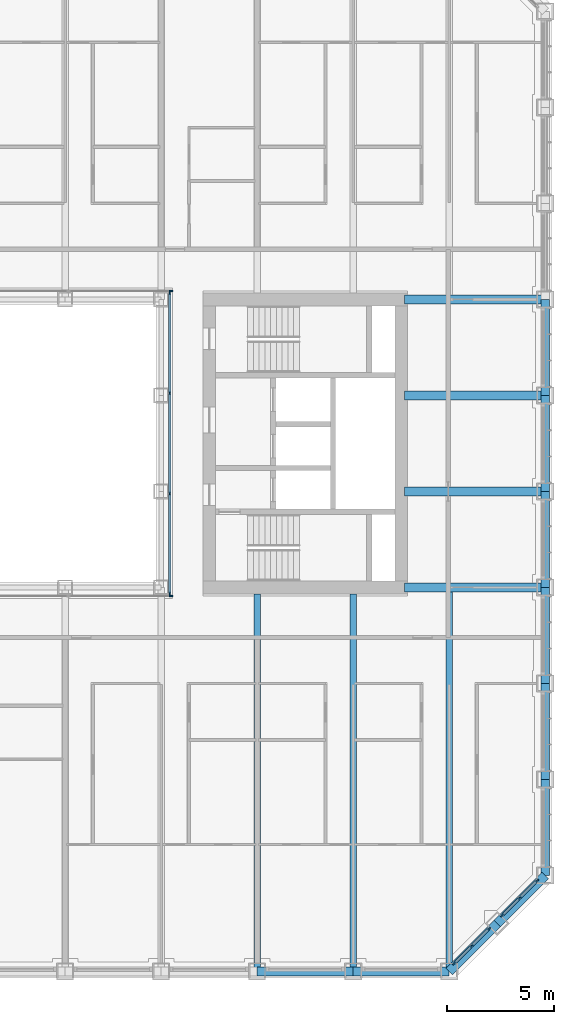
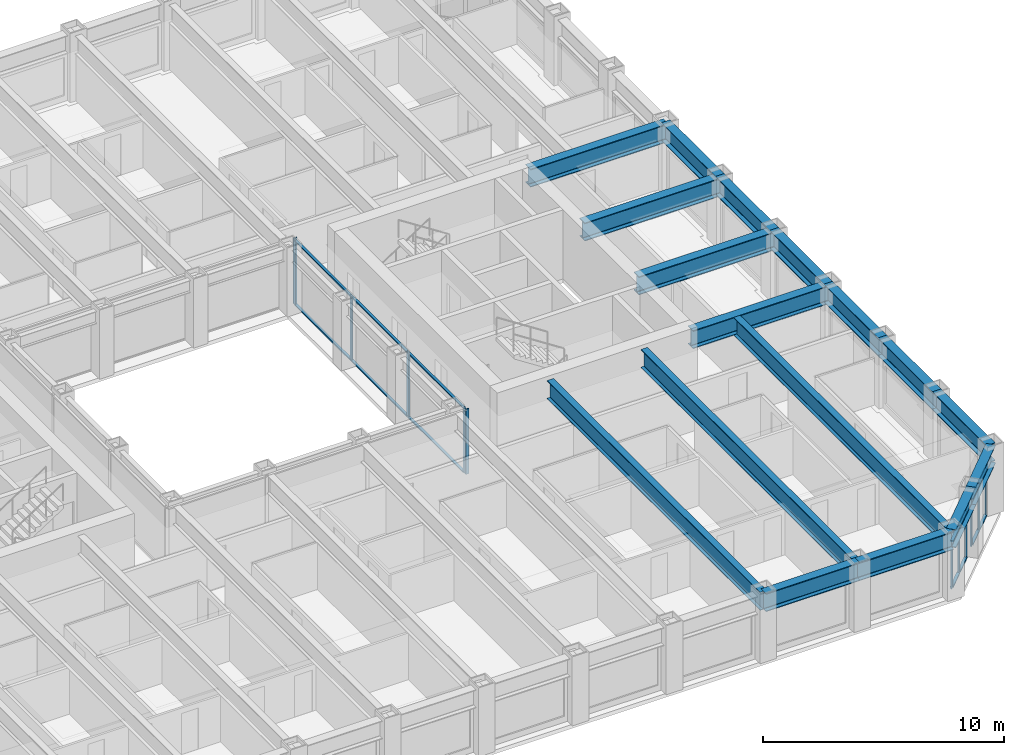
# One storey, part 5 of 20: 26 members, 17 beams, 5 elements without a shape of their own.
"""IFC4 building model written with IfcOpenShell, lengths in metres."""

from ifc_helpers import new_model, si_unit, direction, frame, origin, origin_2d, place, context, subcontext, project, spatial, rectangle, i_section, extrude, material, material_profile, profile_set, type_object, element, aggregate, save


model = new_model("IFC4")

# Units and contexts
model_context = context("Model", 3, precision=1e-05, world=origin(), true_north=direction((0.0, 1.0)))
body_context = subcontext(model_context, "Body", "Model", "MODEL_VIEW")
ifc_project = project(units=[si_unit("LENGTHUNIT", "METRE"), si_unit("AREAUNIT", "SQUARE_METRE"), si_unit("VOLUMEUNIT", "CUBIC_METRE"), si_unit("PLANEANGLEUNIT", "RADIAN"), si_unit("MASSUNIT", "GRAM", prefix="KILO")], contexts=[model_context])

# Site, building, storey
site_placement = place(None, origin())
site = spatial("IfcSite", under=ifc_project, at=site_placement, CompositionType="ELEMENT")
building_placement = place(site_placement, origin())
building = spatial("IfcBuilding", under=site, at=building_placement, Name="Msasa Ring Tower", CompositionType="ELEMENT")
storey_placement = place(building_placement, frame((0.0, 0.0, 61.5)))
storey = spatial("IfcBuildingStorey", under=building, at=storey_placement, Name="L15", CompositionType="ELEMENT", Elevation=61.5)

# Curtain wall, members
ifc_material_1 = material(Name="Aluminium curtain wall with clear glass", Category="aluminium")
curtain_wall_type_1 = type_object("IfcCurtainWallType", Name="CW-C CHAMFER CORNER CURTAIN WALL", PredefinedType="NOTDEFINED", material=ifc_material_1)
curtain_wall_1_placement = place(storey_placement, origin())
curtain_wall_1 = element("IfcCurtainWall", 1, at=curtain_wall_1_placement, inside=storey, type_object=curtain_wall_type_1, Name="Chamfer corner curtain wall SE L15", PredefinedType="NOTDEFINED")
ifc_material_2 = material(Name="Aluminium mullion", Category="aluminium")
ifc_material_profile_1 = material_profile(ifc_material_2, rectangle(XDim=0.06494140625, YDim=0.179931640625, at=origin_2d()), Name="AL 65x180")
ifc_profile_set_1 = profile_set([ifc_material_profile_1], Name="Aluminium mullion")
member_type_1 = type_object("IfcMemberType", Name="CW-C MULLION 65x180", PredefinedType="MULLION", material=ifc_profile_set_1)
member_1_placement = place(storey_placement, frame((20.48876953125, -24.369873046875, 0.0), z_axis=(0.0, 0.0, 1.0), x_axis=(-0.707106781187, 0.707106781187, 0.0)))
member_1 = element("IfcMember", 2, at=member_1_placement, type_object=member_type_1, Name="CW-C mullion 1", PredefinedType="MULLION", context=body_context, shape_type="SweptSolid", body=[
    extrude(rectangle(XDim=0.06494140625, YDim=0.179931640625, at=origin_2d()), origin(), (0.0, 0.0, 1.0), 2.37890625),
])
member_2_placement = place(storey_placement, frame((21.30419921875, -23.55419921875, 0.0), z_axis=(0.0, 0.0, 1.0), x_axis=(-0.707106781187, 0.707106781187, 0.0)))
member_2 = element("IfcMember", 3, at=member_2_placement, type_object=member_type_1, Name="CW-C mullion 2", PredefinedType="MULLION", context=body_context, shape_type="SweptSolid", body=[
    extrude(rectangle(XDim=0.06494140625, YDim=0.179931640625, at=origin_2d()), origin(), (0.0, 0.0, 1.0), 2.37890625),
])
member_3_placement = place(storey_placement, frame((22.119873046875, -22.73876953125, 0.0), z_axis=(0.0, 0.0, 1.0), x_axis=(-0.707106781187, 0.707106781187, 0.0)))
member_3 = element("IfcMember", 4, at=member_3_placement, type_object=member_type_1, Name="CW-C mullion 3", PredefinedType="MULLION", context=body_context, shape_type="SweptSolid", body=[
    extrude(rectangle(XDim=0.06494140625, YDim=0.179931640625, at=origin_2d()), origin(), (0.0, 0.0, 1.0), 2.37890625),
])

curtain_wall_2_placement = place(storey_placement, origin())
curtain_wall_2 = element("IfcCurtainWall", 5, at=curtain_wall_2_placement, inside=storey, type_object=curtain_wall_type_1, Name="Chamfer corner curtain wall SE L15", PredefinedType="NOTDEFINED")
member_4_placement = place(storey_placement, frame((22.73876953125, -22.119873046875, 0.0), z_axis=(0.0, 0.0, 1.0), x_axis=(-0.707106781187, 0.707106781187, 0.0)))
member_4 = element("IfcMember", 6, at=member_4_placement, type_object=member_type_1, Name="CW-C mullion 1", PredefinedType="MULLION", context=body_context, shape_type="SweptSolid", body=[
    extrude(rectangle(XDim=0.06494140625, YDim=0.179931640625, at=origin_2d()), origin(), (0.0, 0.0, 1.0), 2.37890625),
])
member_5_placement = place(storey_placement, frame((23.55419921875, -21.30419921875, 0.0), z_axis=(0.0, 0.0, 1.0), x_axis=(-0.707106781187, 0.707106781187, 0.0)))
member_5 = element("IfcMember", 7, at=member_5_placement, type_object=member_type_1, Name="CW-C mullion 2", PredefinedType="MULLION", context=body_context, shape_type="SweptSolid", body=[
    extrude(rectangle(XDim=0.06494140625, YDim=0.179931640625, at=origin_2d()), origin(), (0.0, 0.0, 1.0), 2.37890625),
])
member_6_placement = place(storey_placement, frame((24.369873046875, -20.48876953125, 0.0), z_axis=(0.0, 0.0, 1.0), x_axis=(-0.707106781187, 0.707106781187, 0.0)))
member_6 = element("IfcMember", 8, at=member_6_placement, type_object=member_type_1, Name="CW-C mullion 3", PredefinedType="MULLION", context=body_context, shape_type="SweptSolid", body=[
    extrude(rectangle(XDim=0.06494140625, YDim=0.179931640625, at=origin_2d()), origin(), (0.0, 0.0, 1.0), 2.37890625),
])

# Member
ifc_material_3 = material(Name="Aluminium transom", Category="aluminium")
ifc_material_profile_2 = material_profile(ifc_material_3, rectangle(XDim=0.139892578125, YDim=0.06494140625, at=origin_2d()), Name="AL 65x140")
ifc_profile_set_2 = profile_set([ifc_material_profile_2], Name="Aluminium transom")
member_type_2 = type_object("IfcMemberType", Name="CW-C TRANSOM 65x140", PredefinedType="USERDEFINED", material=ifc_profile_set_2)
member_7_placement = place(storey_placement, frame((20.51171875, -24.346923828125, 0.032470703125), z_axis=(0.707106781187, 0.707106781187, 0.0), x_axis=(-0.707106781187, 0.707106781187, 0.0)))
member_7 = element("IfcMember", 9, at=member_7_placement, type_object=member_type_2, Name="CW-C transom 1.1", ObjectType="TRANSOM", PredefinedType="USERDEFINED", context=body_context, shape_type="SweptSolid", body=[
    extrude(rectangle(XDim=0.139892578125, YDim=0.06494140625, at=origin_2d()), origin(), (0.0, 0.0, 1.0), 1.08837890625),
])

member_8_placement = place(storey_placement, frame((20.51171875, -24.346923828125, 2.346435546875), z_axis=(0.707106781187, 0.707106781187, 0.0), x_axis=(-0.707106781187, 0.707106781187, 0.0)))
member_8 = element("IfcMember", 10, at=member_8_placement, type_object=member_type_2, Name="CW-C transom 1.2", ObjectType="TRANSOM", PredefinedType="USERDEFINED", context=body_context, shape_type="SweptSolid", body=[
    extrude(rectangle(XDim=0.139892578125, YDim=0.06494140625, at=origin_2d()), origin(), (0.0, 0.0, 1.0), 1.08837890625),
])

member_9_placement = place(storey_placement, frame((21.327392578125, -23.53125, 0.032470703125), z_axis=(0.707106781187, 0.707106781187, 0.0), x_axis=(-0.707106781187, 0.707106781187, 0.0)))
member_9 = element("IfcMember", 11, at=member_9_placement, type_object=member_type_2, Name="CW-C transom 2.1", ObjectType="TRANSOM", PredefinedType="USERDEFINED", context=body_context, shape_type="SweptSolid", body=[
    extrude(rectangle(XDim=0.139892578125, YDim=0.06494140625, at=origin_2d()), origin(), (0.0, 0.0, 1.0), 1.08837890625),
])

member_10_placement = place(storey_placement, frame((21.327392578125, -23.53125, 2.346435546875), z_axis=(0.707106781187, 0.707106781187, 0.0), x_axis=(-0.707106781187, 0.707106781187, 0.0)))
member_10 = element("IfcMember", 12, at=member_10_placement, type_object=member_type_2, Name="CW-C transom 2.2", ObjectType="TRANSOM", PredefinedType="USERDEFINED", context=body_context, shape_type="SweptSolid", body=[
    extrude(rectangle(XDim=0.139892578125, YDim=0.06494140625, at=origin_2d()), origin(), (0.0, 0.0, 1.0), 1.08837890625),
])

aggregate(curtain_wall_1, [member_1, member_2, member_3, member_7, member_8, member_9, member_10])

member_11_placement = place(storey_placement, frame((22.76171875, -22.096923828125, 0.032470703125), z_axis=(0.707106781187, 0.707106781187, 0.0), x_axis=(-0.707106781187, 0.707106781187, 0.0)))
member_11 = element("IfcMember", 13, at=member_11_placement, type_object=member_type_2, Name="CW-C transom 1.1", ObjectType="TRANSOM", PredefinedType="USERDEFINED", context=body_context, shape_type="SweptSolid", body=[
    extrude(rectangle(XDim=0.139892578125, YDim=0.06494140625, at=origin_2d()), origin(), (0.0, 0.0, 1.0), 1.08837890625),
])

member_12_placement = place(storey_placement, frame((22.76171875, -22.096923828125, 2.346435546875), z_axis=(0.707106781187, 0.707106781187, 0.0), x_axis=(-0.707106781187, 0.707106781187, 0.0)))
member_12 = element("IfcMember", 14, at=member_12_placement, type_object=member_type_2, Name="CW-C transom 1.2", ObjectType="TRANSOM", PredefinedType="USERDEFINED", context=body_context, shape_type="SweptSolid", body=[
    extrude(rectangle(XDim=0.139892578125, YDim=0.06494140625, at=origin_2d()), origin(), (0.0, 0.0, 1.0), 1.08837890625),
])

member_13_placement = place(storey_placement, frame((23.577392578125, -21.28125, 0.032470703125), z_axis=(0.707106781187, 0.707106781187, 0.0), x_axis=(-0.707106781187, 0.707106781187, 0.0)))
member_13 = element("IfcMember", 15, at=member_13_placement, type_object=member_type_2, Name="CW-C transom 2.1", ObjectType="TRANSOM", PredefinedType="USERDEFINED", context=body_context, shape_type="SweptSolid", body=[
    extrude(rectangle(XDim=0.139892578125, YDim=0.06494140625, at=origin_2d()), origin(), (0.0, 0.0, 1.0), 1.08837890625),
])

member_14_placement = place(storey_placement, frame((23.577392578125, -21.28125, 2.346435546875), z_axis=(0.707106781187, 0.707106781187, 0.0), x_axis=(-0.707106781187, 0.707106781187, 0.0)))
member_14 = element("IfcMember", 16, at=member_14_placement, type_object=member_type_2, Name="CW-C transom 2.2", ObjectType="TRANSOM", PredefinedType="USERDEFINED", context=body_context, shape_type="SweptSolid", body=[
    extrude(rectangle(XDim=0.139892578125, YDim=0.06494140625, at=origin_2d()), origin(), (0.0, 0.0, 1.0), 1.08837890625),
])

aggregate(curtain_wall_2, [member_4, member_5, member_6, member_11, member_12, member_13, member_14])

# Curtain wall, member
ifc_material_4 = material(Name="Aluminium curtain wall with clear glass", Category="aluminium")
curtain_wall_type_2 = type_object("IfcCurtainWallType", Name="CW-W LIGHT WELL CURTAIN WALL", PredefinedType="NOTDEFINED", material=ifc_material_4)
curtain_wall_3_placement = place(storey_placement, origin())
curtain_wall_3 = element("IfcCurtainWall", 17, at=curtain_wall_3_placement, inside=storey, type_object=curtain_wall_type_2, Name="Light well curtain wall N L15", PredefinedType="NOTDEFINED")
ifc_material_5 = material(Name="Aluminium mullion", Category="aluminium")
ifc_material_profile_3 = material_profile(ifc_material_5, rectangle(XDim=0.06005859375, YDim=0.159912109375, at=origin_2d()), Name="AL 60x160")
ifc_profile_set_3 = profile_set([ifc_material_profile_3], Name="Aluminium mullion")
member_type_3 = type_object("IfcMemberType", Name="CW-W MULLION 60x160", PredefinedType="MULLION", material=ifc_profile_set_3)
member_15_placement = place(storey_placement, frame((7.199951171875, 7.14990234375, 0.0), z_axis=(0.0, 0.0, 1.0), x_axis=(0.0, 1.0, 0.0)))
member_15 = element("IfcMember", 18, at=member_15_placement, type_object=member_type_3, Name="CW-W mullion 4", PredefinedType="MULLION", context=body_context, shape_type="SweptSolid", body=[
    extrude(rectangle(XDim=0.06005859375, YDim=0.159912109375, at=origin_2d()), origin(), (0.0, 0.0, 1.0), 3.300048828125),
])
aggregate(curtain_wall_3, [member_15])

curtain_wall_4_placement = place(storey_placement, origin())
curtain_wall_4 = element("IfcCurtainWall", 19, at=curtain_wall_4_placement, inside=storey, type_object=curtain_wall_type_2, Name="Light well curtain wall S L15", PredefinedType="NOTDEFINED")
member_16_placement = place(storey_placement, frame((7.199951171875, -7.14990234375, 0.0), z_axis=(0.0, 0.0, 1.0), x_axis=(0.0, 1.0, 0.0)))
member_16 = element("IfcMember", 20, at=member_16_placement, type_object=member_type_3, Name="CW-W mullion 4", PredefinedType="MULLION", context=body_context, shape_type="SweptSolid", body=[
    extrude(rectangle(XDim=0.06005859375, YDim=0.159912109375, at=origin_2d()), origin(), (0.0, 0.0, 1.0), 3.300048828125),
])
aggregate(curtain_wall_4, [member_16])

# Curtain wall, members
curtain_wall_5_placement = place(storey_placement, origin())
curtain_wall_5 = element("IfcCurtainWall", 21, at=curtain_wall_5_placement, inside=storey, type_object=curtain_wall_type_2, Name="Light well curtain wall E L15", PredefinedType="NOTDEFINED")
member_17_placement = place(storey_placement, frame((7.14990234375, -7.0400390625, 0.0), z_axis=(0.0, 0.0, 1.0), x_axis=(-1.0, 0.0, 0.0)))
member_17 = element("IfcMember", 22, at=member_17_placement, type_object=member_type_3, Name="CW-W mullion 1", PredefinedType="MULLION", context=body_context, shape_type="SweptSolid", body=[
    extrude(rectangle(XDim=0.06005859375, YDim=0.159912109375, at=origin_2d()), origin(), (0.0, 0.0, 1.0), 3.300048828125),
])
member_18_placement = place(storey_placement, frame((7.14990234375, -2.356689453125, 0.0), z_axis=(0.0, 0.0, 1.0), x_axis=(-1.0, 0.0, 0.0)))
member_18 = element("IfcMember", 23, at=member_18_placement, type_object=member_type_3, Name="CW-W mullion 2", PredefinedType="MULLION", context=body_context, shape_type="SweptSolid", body=[
    extrude(rectangle(XDim=0.06005859375, YDim=0.159912109375, at=origin_2d()), origin(), (0.0, 0.0, 1.0), 3.300048828125),
])
member_19_placement = place(storey_placement, frame((7.14990234375, 2.356689453125, 0.0), z_axis=(0.0, 0.0, 1.0), x_axis=(-1.0, 0.0, 0.0)))
member_19 = element("IfcMember", 24, at=member_19_placement, type_object=member_type_3, Name="CW-W mullion 3", PredefinedType="MULLION", context=body_context, shape_type="SweptSolid", body=[
    extrude(rectangle(XDim=0.06005859375, YDim=0.159912109375, at=origin_2d()), origin(), (0.0, 0.0, 1.0), 3.300048828125),
])
member_20_placement = place(storey_placement, frame((7.14990234375, 7.0400390625, 0.0), z_axis=(0.0, 0.0, 1.0), x_axis=(-1.0, 0.0, 0.0)))
member_20 = element("IfcMember", 25, at=member_20_placement, type_object=member_type_3, Name="CW-W mullion 4", PredefinedType="MULLION", context=body_context, shape_type="SweptSolid", body=[
    extrude(rectangle(XDim=0.06005859375, YDim=0.159912109375, at=origin_2d()), origin(), (0.0, 0.0, 1.0), 3.300048828125),
])
ifc_material_6 = material(Name="Aluminium transom", Category="aluminium")
ifc_material_profile_4 = material_profile(ifc_material_6, rectangle(XDim=0.1201171875, YDim=0.06005859375, at=origin_2d()), Name="AL 60x120")
ifc_profile_set_4 = profile_set([ifc_material_profile_4], Name="Aluminium transom")
member_type_4 = type_object("IfcMemberType", Name="CW-W TRANSOM 60x120", PredefinedType="USERDEFINED", material=ifc_profile_set_4)
member_21_placement = place(storey_placement, frame((7.14990234375, -7.010009765625, 0.030029296875), z_axis=(0.0, 1.0, 0.0), x_axis=(-1.0, 0.0, 0.0)))
member_21 = element("IfcMember", 26, at=member_21_placement, type_object=member_type_4, Name="CW-W transom 1.1", ObjectType="TRANSOM", PredefinedType="USERDEFINED", context=body_context, shape_type="SweptSolid", body=[
    extrude(rectangle(XDim=0.1201171875, YDim=0.06005859375, at=origin_2d()), origin(), (0.0, 0.0, 1.0), 4.623291015625),
])
member_22_placement = place(storey_placement, frame((7.14990234375, -7.010009765625, 3.27001953125), z_axis=(0.0, 1.0, 0.0), x_axis=(-1.0, 0.0, 0.0)))
member_22 = element("IfcMember", 27, at=member_22_placement, type_object=member_type_4, Name="CW-W transom 1.2", ObjectType="TRANSOM", PredefinedType="USERDEFINED", context=body_context, shape_type="SweptSolid", body=[
    extrude(rectangle(XDim=0.1201171875, YDim=0.06005859375, at=origin_2d()), origin(), (0.0, 0.0, 1.0), 4.623291015625),
])
member_23_placement = place(storey_placement, frame((7.14990234375, -2.32666015625, 0.030029296875), z_axis=(0.0, 1.0, 0.0), x_axis=(-1.0, 0.0, 0.0)))
member_23 = element("IfcMember", 28, at=member_23_placement, type_object=member_type_4, Name="CW-W transom 2.1", ObjectType="TRANSOM", PredefinedType="USERDEFINED", context=body_context, shape_type="SweptSolid", body=[
    extrude(rectangle(XDim=0.1201171875, YDim=0.06005859375, at=origin_2d()), origin(), (0.0, 0.0, 1.0), 4.6533203125),
])
member_24_placement = place(storey_placement, frame((7.14990234375, -2.32666015625, 3.27001953125), z_axis=(0.0, 1.0, 0.0), x_axis=(-1.0, 0.0, 0.0)))
member_24 = element("IfcMember", 29, at=member_24_placement, type_object=member_type_4, Name="CW-W transom 2.2", ObjectType="TRANSOM", PredefinedType="USERDEFINED", context=body_context, shape_type="SweptSolid", body=[
    extrude(rectangle(XDim=0.1201171875, YDim=0.06005859375, at=origin_2d()), origin(), (0.0, 0.0, 1.0), 4.6533203125),
])
member_25_placement = place(storey_placement, frame((7.14990234375, 2.38671875, 0.030029296875), z_axis=(0.0, 1.0, 0.0), x_axis=(-1.0, 0.0, 0.0)))
member_25 = element("IfcMember", 30, at=member_25_placement, type_object=member_type_4, Name="CW-W transom 3.1", ObjectType="TRANSOM", PredefinedType="USERDEFINED", context=body_context, shape_type="SweptSolid", body=[
    extrude(rectangle(XDim=0.1201171875, YDim=0.06005859375, at=origin_2d()), origin(), (0.0, 0.0, 1.0), 4.623291015625),
])
member_26_placement = place(storey_placement, frame((7.14990234375, 2.38671875, 3.27001953125), z_axis=(0.0, 1.0, 0.0), x_axis=(-1.0, 0.0, 0.0)))
member_26 = element("IfcMember", 31, at=member_26_placement, type_object=member_type_4, Name="CW-W transom 3.2", ObjectType="TRANSOM", PredefinedType="USERDEFINED", context=body_context, shape_type="SweptSolid", body=[
    extrude(rectangle(XDim=0.1201171875, YDim=0.06005859375, at=origin_2d()), origin(), (0.0, 0.0, 1.0), 4.623291015625),
])
aggregate(curtain_wall_5, [member_17, member_18, member_19, member_20, member_21, member_22, member_23, member_24, member_25, member_26])

# Beams
ifc_material_7 = material(Name="Steel S355", Category="steel")
ifc_material_profile_5 = material_profile(ifc_material_7, i_section(OverallWidth=0.42041015625, OverallDepth=0.9208984375, WebThickness=0.021484375, FlangeThickness=0.03662109375, FilletRadius=0.024169921875, at=origin_2d()), Name="UB 914x419x388")
ifc_profile_set_5 = profile_set([ifc_material_profile_5], Name="Steel S355")
beam_type_1 = type_object("IfcBeamType", Name="FB2 UB 914x419x388", PredefinedType="BEAM", material=ifc_profile_set_5)
for number, where, z_axis, x_axis, name in (
    (32, (24.75, -2.25, 2.839599609375), (-1.0, 0.0, 0.0), (0.0, -1.0, 0.0), "Floor beam E -2.25 under L16"),
    (33, (24.75, 2.25, 2.839599609375), (-1.0, 0.0, 0.0), (0.0, -1.0, 0.0), "Floor beam E +2.25 under L16"),
):
    element("IfcBeam", number, at=place(storey_placement, frame(where, z_axis=z_axis, x_axis=x_axis)), inside=storey, type_object=beam_type_1, Name=name, PredefinedType="BEAM", context=body_context, shape_type="SweptSolid", body=[
        extrude(i_section(OverallWidth=0.42041015625, OverallDepth=0.9208984375, WebThickness=0.021484375, FlangeThickness=0.03662109375, FilletRadius=0.024169921875, at=origin_2d()), origin(), (0.0, 0.0, 1.0), 6.60009765625),
    ])
ifc_material_8 = material(Name="Steel S355", Category="steel")
ifc_material_profile_6 = material_profile(ifc_material_8, i_section(OverallWidth=0.3076171875, OverallDepth=0.926513671875, WebThickness=0.01953125, FlangeThickness=0.031982421875, FilletRadius=0.01904296875, at=origin_2d()), Name="UB 914x305x289")
ifc_profile_set_6 = profile_set([ifc_material_profile_6], Name="Steel S355")
beam_type_2 = type_object("IfcBeamType", Name="FB3 UB 914x305x289", PredefinedType="BEAM", material=ifc_profile_set_6)
for number, where, z_axis, x_axis, name in (
    (34, (11.25, -24.75, 2.836669921875), (0.0, 1.0, 0.0), (-1.0, 0.0, 0.0), "Floor beam S+11.25 under L16"),
    (35, (15.75, -24.75, 2.836669921875), (0.0, 1.0, 0.0), (-1.0, 0.0, 0.0), "Floor beam S+15.75 under L16"),
):
    element("IfcBeam", number, at=place(storey_placement, frame(where, z_axis=z_axis, x_axis=x_axis)), inside=storey, type_object=beam_type_2, Name=name, PredefinedType="BEAM", context=body_context, shape_type="SweptSolid", body=[
        extrude(i_section(OverallWidth=0.3076171875, OverallDepth=0.926513671875, WebThickness=0.01953125, FlangeThickness=0.031982421875, FilletRadius=0.01904296875, at=origin_2d()), origin(), (0.0, 0.0, 1.0), 17.699951171875),
    ])
beam_placement = place(storey_placement, frame((20.25, -24.75, 2.836669921875), z_axis=(0.0, 1.0, 0.0), x_axis=(-1.0, 0.0, 0.0)))
element("IfcBeam", 36, at=beam_placement, inside=storey, type_object=beam_type_2, Name="Floor beam S+20.25 under L16", PredefinedType="BEAM", context=body_context, shape_type="SweptSolid", body=[
    extrude(i_section(OverallWidth=0.3076171875, OverallDepth=0.926513671875, WebThickness=0.01953125, FlangeThickness=0.031982421875, FilletRadius=0.01904296875, at=origin_2d()), origin(), (0.0, 0.0, 1.0), 17.789794921875),
])
ifc_material_9 = material(Name="Steel S355", Category="steel")
ifc_material_profile_7 = material_profile(ifc_material_9, i_section(OverallWidth=0.42041015625, OverallDepth=0.9208984375, WebThickness=0.021484375, FlangeThickness=0.03662109375, FilletRadius=0.024169921875, at=origin_2d()), Name="UB 914x419x388")
ifc_profile_set_7 = profile_set([ifc_material_profile_7], Name="Steel S355")
beam_type_3 = type_object("IfcBeamType", Name="GB1 UB 914x419x388", PredefinedType="BEAM", material=ifc_profile_set_7)
for number, where, z_axis, x_axis, name in (
    (37, (18.14990234375, 6.75, 2.839599609375), (1.0, 0.0, 0.0), (0.0, 1.0, 0.0), "Girder E +6.75 under L16"),
    (38, (18.14990234375, -6.75, 2.839599609375), (1.0, 0.0, 0.0), (0.0, 1.0, 0.0), "Girder E -6.75 under L16"),
):
    element("IfcBeam", number, at=place(storey_placement, frame(where, z_axis=z_axis, x_axis=x_axis)), inside=storey, type_object=beam_type_3, Name=name, PredefinedType="BEAM", context=body_context, shape_type="SweptSolid", body=[
        extrude(i_section(OverallWidth=0.42041015625, OverallDepth=0.9208984375, WebThickness=0.021484375, FlangeThickness=0.03662109375, FilletRadius=0.024169921875, at=origin_2d()), origin(), (0.0, 0.0, 1.0), 6.60009765625),
    ])
ifc_material_10 = material(Name="Steel S355", Category="steel")
ifc_material_profile_8 = material_profile(ifc_material_10, i_section(OverallWidth=0.42041015625, OverallDepth=0.9208984375, WebThickness=0.021484375, FlangeThickness=0.03662109375, FilletRadius=0.024169921875, at=origin_2d()), Name="UB 914x419x388")
ifc_profile_set_8 = profile_set([ifc_material_profile_8], Name="Steel S355")
beam_type_4 = type_object("IfcBeamType", Name="SB1 UB 914x419x388", PredefinedType="SPANDREL", material=ifc_profile_set_8)
for number, where, z_axis, x_axis, name in (
    (39, (11.25, -24.75, 2.839599609375), (1.0, 0.0, 0.0), (0.0, 1.0, 0.0), "Spandrel S+11.25 to S+15.75 under L16"),
    (40, (15.75, -24.75, 2.839599609375), (1.0, 0.0, 0.0), (0.0, 1.0, 0.0), "Spandrel S+15.75 to S+20.25 under L16"),
):
    element("IfcBeam", number, at=place(storey_placement, frame(where, z_axis=z_axis, x_axis=x_axis)), inside=storey, type_object=beam_type_4, Name=name, PredefinedType="SPANDREL", context=body_context, shape_type="SweptSolid", body=[
        extrude(i_section(OverallWidth=0.42041015625, OverallDepth=0.9208984375, WebThickness=0.021484375, FlangeThickness=0.03662109375, FilletRadius=0.024169921875, at=origin_2d()), origin(), (0.0, 0.0, 1.0), 4.5),
    ])
for number, where, z_axis, x_axis, name in (
    (41, (20.25, -24.75, 2.839599609375), (0.707106781187, 0.707106781187, 0.0), (-0.707106781187, 0.707106781187, 0.0), "Spandrel S+20.25 to SE under L16"),
    (42, (22.5, -22.5, 2.839599609375), (0.707106781187, 0.707106781187, 0.0), (-0.707106781187, 0.707106781187, 0.0), "Spandrel SE to E-20.25 under L16"),
):
    element("IfcBeam", number, at=place(storey_placement, frame(where, z_axis=z_axis, x_axis=x_axis)), inside=storey, type_object=beam_type_4, Name=name, PredefinedType="SPANDREL", context=body_context, shape_type="SweptSolid", body=[
        extrude(i_section(OverallWidth=0.42041015625, OverallDepth=0.9208984375, WebThickness=0.021484375, FlangeThickness=0.03662109375, FilletRadius=0.024169921875, at=origin_2d()), origin(), (0.0, 0.0, 1.0), 3.181884765625),
    ])
for number, where, z_axis, x_axis, name in (
    (43, (24.75, -20.25, 2.839599609375), (0.0, 1.0, 0.0), (-1.0, 0.0, 0.0), "Spandrel E-20.25 to E-15.75 under L16"),
    (44, (24.75, -15.75, 2.839599609375), (0.0, 1.0, 0.0), (-1.0, 0.0, 0.0), "Spandrel E-15.75 to E-11.25 under L16"),
    (45, (24.75, -11.25, 2.839599609375), (0.0, 1.0, 0.0), (-1.0, 0.0, 0.0), "Spandrel E-11.25 to E-6.75 under L16"),
    (46, (24.75, -6.75, 2.839599609375), (0.0, 1.0, 0.0), (-1.0, 0.0, 0.0), "Spandrel E-6.75 to E-2.25 under L16"),
    (47, (24.75, -2.25, 2.839599609375), (0.0, 1.0, 0.0), (-1.0, 0.0, 0.0), "Spandrel E-2.25 to E+2.25 under L16"),
    (48, (24.75, 2.25, 2.839599609375), (0.0, 1.0, 0.0), (-1.0, 0.0, 0.0), "Spandrel E+2.25 to E+6.75 under L16"),
):
    element("IfcBeam", number, at=place(storey_placement, frame(where, z_axis=z_axis, x_axis=x_axis)), inside=storey, type_object=beam_type_4, Name=name, PredefinedType="SPANDREL", context=body_context, shape_type="SweptSolid", body=[
        extrude(i_section(OverallWidth=0.42041015625, OverallDepth=0.9208984375, WebThickness=0.021484375, FlangeThickness=0.03662109375, FilletRadius=0.024169921875, at=origin_2d()), origin(), (0.0, 0.0, 1.0), 4.5),
    ])

save(model, "model.ifc")
